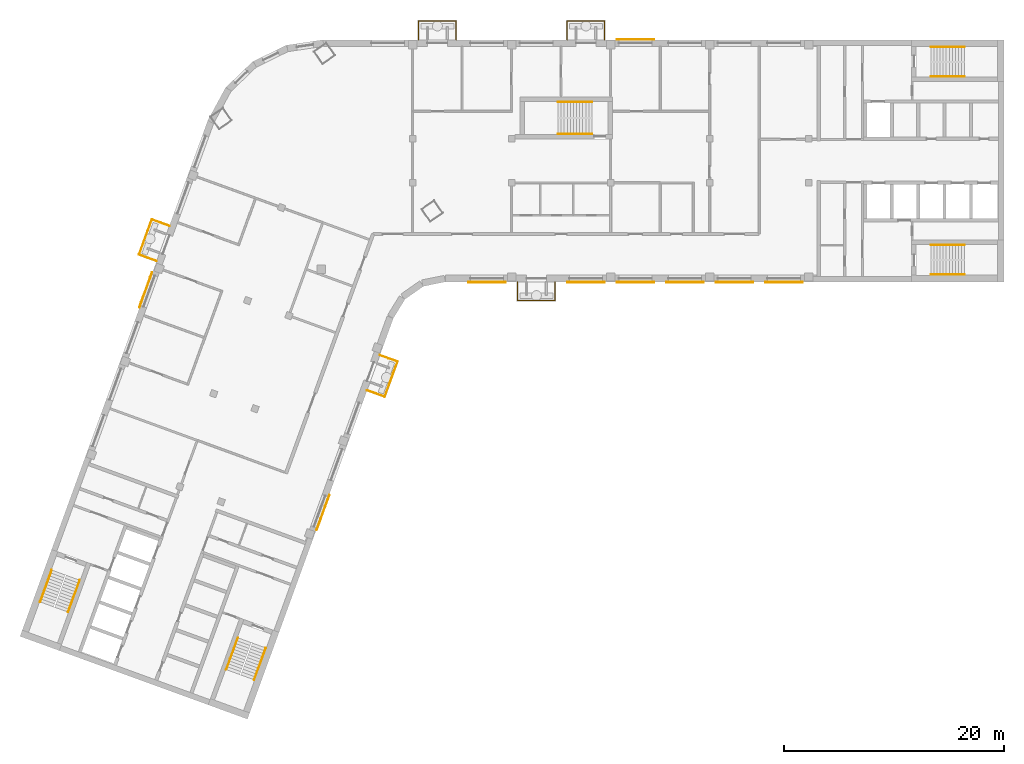
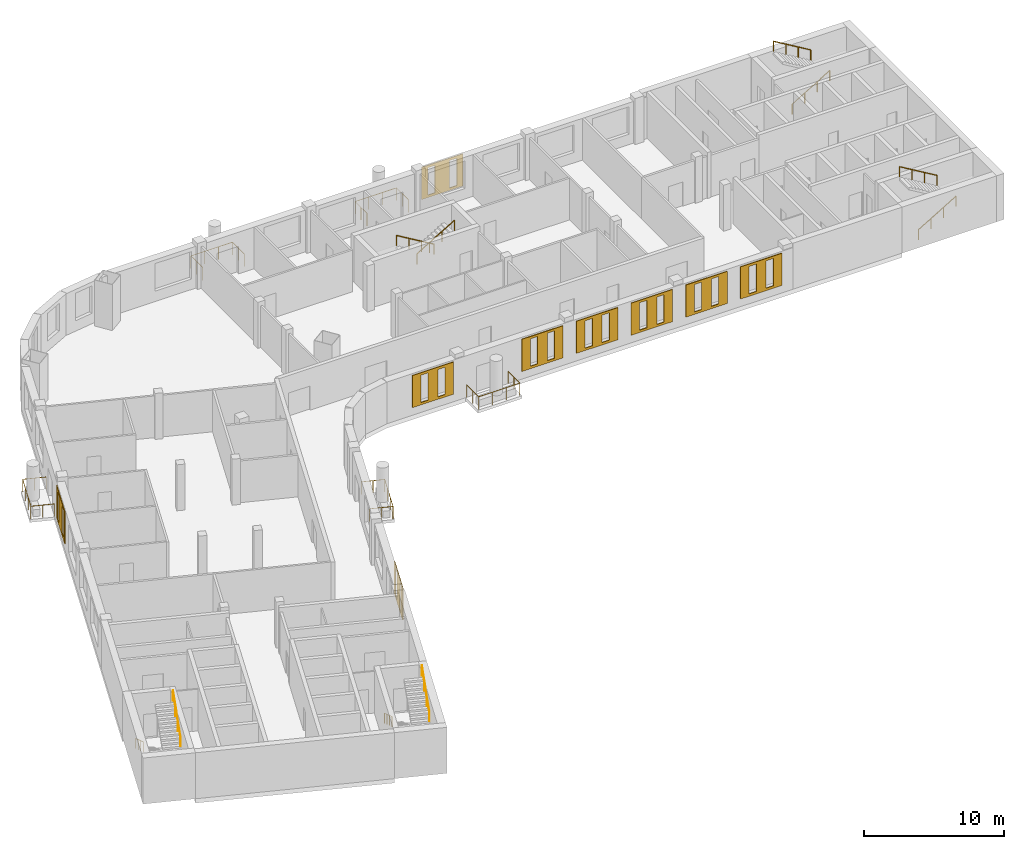
# One storey, part 8 of 10: 15 railings, 9 coverings.
"""IFC4 building model written with IfcOpenShell, lengths in metres."""

import ifcopenshell
import ifcopenshell.guid

model = None  # the IFC model being written
_history = None  # IfcOwnerHistory: only IFC2X3 demands one
_inside = {}  # id of a spatial element -> (the spatial element, [elements in it])
_under = {}  # id of a project, library or spatial element -> (it, [spatial elements below it])
_declared = {}  # id of a project -> (the project, [libraries it declares])
_typed = {}  # id of a type object -> (the type object, [elements of that type])
_made_of = {}  # id of a material, layer set ... -> (it, [elements and type objects made of it])


def new_model(schema):
    """Start an empty IFC model of exactly this schema.

    Asked for "IFC4X3", IfcOpenShell would pick the latest addendum, in which some entities
    have other attributes; the version numbers below select the first issue.
    IFC2X3 requires an IfcOwnerHistory on every rooted entity: one is made here for all.
    """
    global model, _history
    if schema == "IFC4X3":
        model = ifcopenshell.file(schema_version=(4, 3, 0, 0))
    else:
        model = ifcopenshell.file(schema=schema)
    _inside.clear()
    _under.clear()
    _declared.clear()
    _typed.clear()
    _made_of.clear()
    _history = None
    if model.schema == "IFC2X3":
        org = make("IfcOrganization", Name="unknown")
        user = make(
            "IfcPersonAndOrganization",
            ThePerson=make("IfcPerson", FamilyName="unknown"),
            TheOrganization=org,
        )
        app = make(
            "IfcApplication",
            ApplicationDeveloper=org,
            Version="unknown",
            ApplicationFullName="unknown",
            ApplicationIdentifier="unknown",
        )
        _history = make(
            "IfcOwnerHistory",
            OwningUser=user,
            OwningApplication=app,
            ChangeAction="ADDED",
            CreationDate=0,
        )
    return model


def make(cls, **values):
    """One entity of the class cls with the attributes given. An attribute that is None is left unset."""
    return model.create_entity(
        cls, **{name: value for name, value in values.items() if value is not None}
    )


def rooted(cls, **values):
    """An entity with a GlobalId (a new one), such as an element, a storey or a relation."""
    return make(cls, GlobalId=ifcopenshell.guid.new(), OwnerHistory=_history, **values)


def si_unit(unit_type, name, prefix=None):
    """IfcSIUnit, for example si_unit("LENGTHUNIT", "METRE", prefix="MILLI")."""
    return make("IfcSIUnit", UnitType=unit_type, Prefix=prefix, Name=name)


def assignment(units):
    """IfcUnitAssignment: the units of a project."""
    return None if units is None else make("IfcUnitAssignment", Units=units)


def point(xyz):
    """IfcCartesianPoint."""
    return None if xyz is None else make("IfcCartesianPoint", Coordinates=xyz)


def direction(xyz):
    """IfcDirection."""
    return None if xyz is None else make("IfcDirection", DirectionRatios=xyz)


def frame(location, z_axis=None, x_axis=None):
    """IfcAxis2Placement3D, a coordinate frame: its origin and axes. An axis left out is left unset."""
    return make(
        "IfcAxis2Placement3D",
        Location=point(location),
        Axis=direction(z_axis),
        RefDirection=direction(x_axis),
    )


def frame_2d(location, x_axis=None):
    """IfcAxis2Placement2D, a coordinate frame in the plane: its origin and x axis."""
    return make(
        "IfcAxis2Placement2D", Location=point(location), RefDirection=direction(x_axis)
    )


def origin():
    """The frame at (0, 0, 0) with its axes left unset."""
    return frame((0.0, 0.0, 0.0))


def origin_2d():
    """The frame at (0, 0) in the plane with its x axis left unset."""
    return frame_2d((0.0, 0.0))


def place(relative_to, where):
    """IfcLocalPlacement: puts the frame where relative to a parent placement (None: the world)."""
    return make(
        "IfcLocalPlacement", PlacementRelTo=relative_to, RelativePlacement=where
    )


def context(
    kind, dimensions, precision=None, world=None, true_north=None, identifier=None
):
    """IfcGeometricRepresentationContext, for example the 3D "Model" context."""
    return make(
        "IfcGeometricRepresentationContext",
        ContextIdentifier=identifier,
        ContextType=kind,
        CoordinateSpaceDimension=dimensions,
        Precision=precision,
        WorldCoordinateSystem=world,
        TrueNorth=true_north,
    )


def subcontext(parent, identifier, kind, view, scale=None):
    """IfcGeometricRepresentationSubContext, for example "Body" below "Model"."""
    return make(
        "IfcGeometricRepresentationSubContext",
        ContextIdentifier=identifier,
        ContextType=kind,
        ParentContext=parent,
        TargetScale=scale,
        TargetView=view,
    )


def project(units=None, contexts=None):
    """IfcProject with its units and contexts."""
    return rooted(
        "IfcProject",
        Name="project",
        RepresentationContexts=contexts,
        UnitsInContext=assignment(units),
    )


def spatial(cls, under=None, at=None, **own):
    """A site, building, storey or space (cls), placed at a placement, below another one or the project."""
    s = rooted(cls, ObjectPlacement=at, **own)
    if under is not None:
        _under.setdefault(under.id(), (under, []))[1].append(s)
    return s


def polyline(points):
    """IfcPolyline through the points."""
    return make("IfcPolyline", Points=[point(p) for p in points])


def profile(cls, at=None, kind="AREA", **sizes):
    """A parametric profile (cls). Its sizes go by their IFC names, for example OverallWidth=200.0."""
    return make(cls, ProfileType=kind, Position=at, **sizes)


def circle(**sizes):
    """IfcCircleProfileDef."""
    return profile("IfcCircleProfileDef", **sizes)


def outline(outer, holes=None, kind="AREA"):
    """IfcArbitraryClosedProfileDef: a profile drawn as a closed curve; with holes, ...WithVoids."""
    if holes is None:
        return make("IfcArbitraryClosedProfileDef", ProfileType=kind, OuterCurve=outer)
    return make(
        "IfcArbitraryProfileDefWithVoids",
        ProfileType=kind,
        OuterCurve=outer,
        InnerCurves=holes,
    )


def extrude(swept, where, along, depth):
    """IfcExtrudedAreaSolid: the profile swept, set in the frame where, extruded along a direction by depth."""
    return make(
        "IfcExtrudedAreaSolid",
        SweptArea=swept,
        Position=where,
        ExtrudedDirection=direction(along),
        Depth=depth,
    )


def shape(context_of_items, identifier, shape_type, items):
    """IfcShapeRepresentation: the items that make up one representation, for example the "Body"."""
    return make(
        "IfcShapeRepresentation",
        ContextOfItems=context_of_items,
        RepresentationIdentifier=identifier,
        RepresentationType=shape_type,
        Items=items,
    )


def material(Name=None, Category=None):
    """IfcMaterial."""
    return make("IfcMaterial", Name=Name, Category=Category)


def material_profile(
    of_material, cross_section, Name=None, Category=None, Priority=None
):
    """IfcMaterialProfile: a cross section and its material."""
    return make(
        "IfcMaterialProfile",
        Name=Name,
        Material=of_material,
        Profile=cross_section,
        Priority=Priority,
        Category=Category,
    )


def profile_set(profiles, Name=None, composite=None):
    """IfcMaterialProfileSet."""
    return make(
        "IfcMaterialProfileSet",
        Name=Name,
        MaterialProfiles=profiles,
        CompositeProfile=composite,
    )


def made_of(thing, what):
    """Note that an element or type object is made of a material, layer set ...; save() writes the relation."""
    if what is not None:
        _made_of.setdefault(what.id(), (what, []))[1].append(thing)
    return thing


def type_object(cls, material=None, **own):
    """A type object (cls), such as IfcWallType, which elements share."""
    return made_of(rooted(cls, **own), material)


def element(
    cls,
    number,
    at=None,
    inside=None,
    cuts=None,
    type_object=None,
    material=None,
    context=None,
    identifier="Body",
    shape_type=None,
    held_by="IfcProductDefinitionShape",
    body=None,
    shapes=None,
    **own,
):
    """One element of the class cls, such as IfcWall. Its Tag is "e" and its number.

    at: its placement. inside: the storey or other place that contains it. cuts: it is an
    opening in that element (IfcRelVoidsElement). A single representation is given by context,
    identifier, shape_type and body (its items); several are given by shapes. held_by: the class
    of the entity that holds the representations. save() writes the other relations.
    """
    e = rooted(cls, Tag="e%d" % number, ObjectPlacement=at, **own)
    if body is not None:
        shapes = [shape(context, identifier, shape_type, body)]
    if shapes is not None:
        e.Representation = make(held_by, Representations=shapes)
    if inside is not None:
        _inside.setdefault(inside.id(), (inside, []))[1].append(e)
    if cuts is not None:
        rooted(
            "IfcRelVoidsElement", RelatingBuildingElement=cuts, RelatedOpeningElement=e
        )
    if type_object is not None:
        _typed.setdefault(type_object.id(), (type_object, []))[1].append(e)
    return made_of(e, material)


def aggregate(whole, parts):
    """IfcRelAggregates: a whole, such as a stair, and the parts it consists of."""
    return rooted("IfcRelAggregates", RelatingObject=whole, RelatedObjects=parts)


def save(model, path):
    """Write the relations noted so far, then the file.

    IfcRelAggregates (storeys below a building ...), IfcRelContainedInSpatialStructure (elements
    in a storey), IfcRelDefinesByType, IfcRelAssociatesMaterial and IfcRelDeclares: one each for
    every whole, place, type object, material and project.
    """
    for whole, parts in _under.values():
        aggregate(whole, parts)
    for where, things in _inside.values():
        rooted(
            "IfcRelContainedInSpatialStructure",
            RelatedElements=things,
            RelatingStructure=where,
        )
    for kind, things in _typed.values():
        rooted("IfcRelDefinesByType", RelatedObjects=things, RelatingType=kind)
    for what, things in _made_of.values():
        rooted("IfcRelAssociatesMaterial", RelatedObjects=things, RelatingMaterial=what)
    for by, libraries in _declared.values():
        rooted("IfcRelDeclares", RelatingContext=by, RelatedDefinitions=libraries)
    model.write(path)


model = new_model("IFC4")

# Units and contexts
model_context = context("Model", 3, precision=1e-05, world=origin(), true_north=direction((0.0, 1.0)))
body_context = subcontext(model_context, "Body", "Model", "MODEL_VIEW")
ifc_project = project(units=[si_unit("LENGTHUNIT", "METRE"), si_unit("AREAUNIT", "SQUARE_METRE"), si_unit("VOLUMEUNIT", "CUBIC_METRE"), si_unit("PLANEANGLEUNIT", "RADIAN"), si_unit("MASSUNIT", "GRAM", prefix="KILO")], contexts=[model_context])

# Site, building, storey
site_placement = place(None, origin())
site = spatial("IfcSite", under=ifc_project, at=site_placement, CompositionType="ELEMENT")
building_placement = place(site_placement, origin())
building = spatial("IfcBuilding", under=site, at=building_placement, Name="Skarvind Civic Tower", CompositionType="ELEMENT")
storey_placement = place(building_placement, frame((0.0, 0.0, 192.0)))
storey = spatial("IfcBuildingStorey", under=building, at=storey_placement, Name="L45", CompositionType="ELEMENT", Elevation=192.0)

# Railings
ifc_material_1 = material(Name="Stainless steel balustrade", Category="steel")
railing_type_1 = type_object("IfcRailingType", Name="GR1 GUARD 1100", PredefinedType="GUARDRAIL", material=ifc_material_1)
railing_1_placement = place(storey_placement, frame((51.274658203125, 110.330322265625, 0.0)))
element("IfcRailing", 1, at=railing_1_placement, inside=storey, type_object=railing_type_1, Name="TREE BALCONY GUARD", PredefinedType="GUARDRAIL", context=body_context, shape_type="SweptSolid", body=[
    extrude(circle(Radius=0.02392578125, at=origin_2d()), frame((0.0, 0.0, 1.076171875), z_axis=(0.939684369409, -0.342042812948, 0.0), x_axis=(0.342042812948, 0.939684369409, 0.0)), (0.0, 0.0, 1.0), 1.7001953125),
    extrude(circle(Radius=0.02392578125, at=origin_2d()), frame((1.59765625, -0.58154296875, 1.076171875), z_axis=(-0.342088971896, -0.93966756638, 0.0), x_axis=(0.93966756638, -0.342088971896, 0.0)), (0.0, 0.0, 1.0), 3.39990234375),
    extrude(circle(Radius=0.02392578125, at=origin_2d()), frame((0.4345703125, -3.7763671875, 1.076171875), z_axis=(-0.93966756638, 0.342088971896, 0.0), x_axis=(-0.342088971896, -0.93966756638, 0.0)), (0.0, 0.0, 1.0), 1.699951171875),
    extrude(circle(Radius=0.02099609375, at=origin_2d()), origin(), (0.0, 0.0, 1.0), 1.052001953125),
    extrude(circle(Radius=0.02099609375, at=origin_2d()), frame((0.798828125, -0.290771484375, 0.0)), (0.0, 0.0, 1.0), 1.052001953125),
    extrude(circle(Radius=0.02099609375, at=origin_2d()), frame((1.59765625, -0.58154296875, 0.0)), (0.0, 0.0, 1.0), 1.052001953125),
    extrude(circle(Radius=0.02099609375, at=origin_2d()), frame((1.2099609375, -1.646484375, 0.0)), (0.0, 0.0, 1.0), 1.052001953125),
    extrude(circle(Radius=0.02099609375, at=origin_2d()), frame((0.822265625, -2.71142578125, 0.0)), (0.0, 0.0, 1.0), 1.052001953125),
    extrude(circle(Radius=0.02099609375, at=origin_2d()), frame((0.4345703125, -3.7763671875, 0.0)), (0.0, 0.0, 1.0), 1.052001953125),
    extrude(circle(Radius=0.02099609375, at=origin_2d()), frame((-0.3642578125, -3.485595703125, 0.0)), (0.0, 0.0, 1.0), 1.052001953125),
    extrude(circle(Radius=0.02099609375, at=origin_2d()), frame((-1.162841796875, -3.19482421875, 0.0)), (0.0, 0.0, 1.0), 1.052001953125),
])
railing_2_placement = place(storey_placement, frame((67.199951171875, 117.0, 0.0)))
element("IfcRailing", 2, at=railing_2_placement, inside=storey, type_object=railing_type_1, Name="TREE BALCONY GUARD", PredefinedType="GUARDRAIL", context=body_context, shape_type="SweptSolid", body=[
    extrude(circle(Radius=0.02392578125, at=origin_2d()), frame((0.0, 0.0, 1.076171875), z_axis=(0.0, -1.0, 0.0), x_axis=(1.0, 0.0, 0.0)), (0.0, 0.0, 1.0), 1.699951171875),
    extrude(circle(Radius=0.02392578125, at=origin_2d()), frame((0.0, -1.699951171875, 1.076171875), z_axis=(-1.0, 0.0, 0.0), x_axis=(0.0, -1.0, 0.0)), (0.0, 0.0, 1.0), 3.39990234375),
    extrude(circle(Radius=0.02392578125, at=origin_2d()), frame((-3.39990234375, -1.699951171875, 1.076171875), z_axis=(0.0, 1.0, 0.0), x_axis=(-1.0, 0.0, 0.0)), (0.0, 0.0, 1.0), 1.699951171875),
    extrude(circle(Radius=0.02099609375, at=origin_2d()), origin(), (0.0, 0.0, 1.0), 1.052001953125),
    extrude(circle(Radius=0.02099609375, at=origin_2d()), frame((0.0, -0.85009765625, 0.0)), (0.0, 0.0, 1.0), 1.052001953125),
    extrude(circle(Radius=0.02099609375, at=origin_2d()), frame((0.0, -1.699951171875, 0.0)), (0.0, 0.0, 1.0), 1.052001953125),
    extrude(circle(Radius=0.02099609375, at=origin_2d()), frame((-1.13330078125, -1.699951171875, 0.0)), (0.0, 0.0, 1.0), 1.052001953125),
    extrude(circle(Radius=0.02099609375, at=origin_2d()), frame((-2.2666015625, -1.699951171875, 0.0)), (0.0, 0.0, 1.0), 1.052001953125),
    extrude(circle(Radius=0.02099609375, at=origin_2d()), frame((-3.39990234375, -1.699951171875, 0.0)), (0.0, 0.0, 1.0), 1.052001953125),
    extrude(circle(Radius=0.02099609375, at=origin_2d()), frame((-3.39990234375, -0.85009765625, 0.0)), (0.0, 0.0, 1.0), 1.052001953125),
    extrude(circle(Radius=0.02099609375, at=origin_2d()), frame((-3.39990234375, 0.0, 0.0)), (0.0, 0.0, 1.0), 1.052001953125),
])
for number, where, name in (
    (3, (54.800048828125, 139.0, 0.0), "TREE BALCONY GUARD"),
    (4, (68.300048828125, 139.0, 0.0), "TREE BALCONY GUARD"),
):
    element("IfcRailing", number, at=place(storey_placement, frame(where)), inside=storey, type_object=railing_type_1, Name=name, PredefinedType="GUARDRAIL", context=body_context, shape_type="SweptSolid", body=[
        extrude(circle(Radius=0.02392578125, at=origin_2d()), frame((0.0, 0.0, 1.076171875), z_axis=(0.0, 1.0, 0.0), x_axis=(-1.0, 0.0, 0.0)), (0.0, 0.0, 1.0), 1.699951171875),
        extrude(circle(Radius=0.02392578125, at=origin_2d()), frame((0.0, 1.699951171875, 1.076171875), z_axis=(1.0, 0.0, 0.0), x_axis=(0.0, 1.0, 0.0)), (0.0, 0.0, 1.0), 3.39990234375),
        extrude(circle(Radius=0.02392578125, at=origin_2d()), frame((3.39990234375, 1.699951171875, 1.076171875), z_axis=(0.0, -1.0, 0.0), x_axis=(1.0, 0.0, 0.0)), (0.0, 0.0, 1.0), 1.699951171875),
        extrude(circle(Radius=0.02099609375, at=origin_2d()), origin(), (0.0, 0.0, 1.0), 1.052001953125),
        extrude(circle(Radius=0.02099609375, at=origin_2d()), frame((0.0, 0.85009765625, 0.0)), (0.0, 0.0, 1.0), 1.052001953125),
        extrude(circle(Radius=0.02099609375, at=origin_2d()), frame((0.0, 1.699951171875, 0.0)), (0.0, 0.0, 1.0), 1.052001953125),
        extrude(circle(Radius=0.02099609375, at=origin_2d()), frame((1.13330078125, 1.699951171875, 0.0)), (0.0, 0.0, 1.0), 1.052001953125),
        extrude(circle(Radius=0.02099609375, at=origin_2d()), frame((2.2666015625, 1.699951171875, 0.0)), (0.0, 0.0, 1.0), 1.052001953125),
        extrude(circle(Radius=0.02099609375, at=origin_2d()), frame((3.39990234375, 1.699951171875, 0.0)), (0.0, 0.0, 1.0), 1.052001953125),
        extrude(circle(Radius=0.02099609375, at=origin_2d()), frame((3.39990234375, 0.85009765625, 0.0)), (0.0, 0.0, 1.0), 1.052001953125),
        extrude(circle(Radius=0.02099609375, at=origin_2d()), frame((3.39990234375, 0.0, 0.0)), (0.0, 0.0, 1.0), 1.052001953125),
    ])
railing_3_placement = place(storey_placement, frame((30.977783203125, 118.888427734375, 0.0)))
element("IfcRailing", 5, at=railing_3_placement, inside=storey, type_object=railing_type_1, Name="TREE BALCONY GUARD", PredefinedType="GUARDRAIL", context=body_context, shape_type="SweptSolid", body=[
    extrude(circle(Radius=0.02392578125, at=origin_2d()), frame((0.0, 0.0, 1.076171875), z_axis=(-0.939684369409, 0.342042812948, 0.0), x_axis=(-0.342042812948, -0.939684369409, 0.0)), (0.0, 0.0, 1.0), 1.7001953125),
    extrude(circle(Radius=0.02392578125, at=origin_2d()), frame((-1.59765625, 0.58154296875, 1.076171875), z_axis=(0.342088971896, 0.93966756638, 0.0), x_axis=(-0.93966756638, 0.342088971896, 0.0)), (0.0, 0.0, 1.0), 3.39990234375),
    extrude(circle(Radius=0.02392578125, at=origin_2d()), frame((-0.4345703125, 3.7763671875, 1.076171875), z_axis=(0.939713724856, -0.341962154804, 0.0), x_axis=(0.341962154804, 0.939713724856, 0.0)), (0.0, 0.0, 1.0), 1.699951171875),
    extrude(circle(Radius=0.02099609375, at=origin_2d()), origin(), (0.0, 0.0, 1.0), 1.052001953125),
    extrude(circle(Radius=0.02099609375, at=origin_2d()), frame((-0.798828125, 0.290771484375, 0.0)), (0.0, 0.0, 1.0), 1.052001953125),
    extrude(circle(Radius=0.02099609375, at=origin_2d()), frame((-1.59765625, 0.58154296875, 0.0)), (0.0, 0.0, 1.0), 1.052001953125),
    extrude(circle(Radius=0.02099609375, at=origin_2d()), frame((-1.2099609375, 1.646484375, 0.0)), (0.0, 0.0, 1.0), 1.052001953125),
    extrude(circle(Radius=0.02099609375, at=origin_2d()), frame((-0.822265625, 2.71142578125, 0.0)), (0.0, 0.0, 1.0), 1.052001953125),
    extrude(circle(Radius=0.02099609375, at=origin_2d()), frame((-0.4345703125, 3.7763671875, 0.0)), (0.0, 0.0, 1.0), 1.052001953125),
    extrude(circle(Radius=0.02099609375, at=origin_2d()), frame((0.3642578125, 3.48583984375, 0.0)), (0.0, 0.0, 1.0), 1.052001953125),
    extrude(circle(Radius=0.02099609375, at=origin_2d()), frame((1.162841796875, 3.195068359375, 0.0)), (0.0, 0.0, 1.0), 1.052001953125),
])
ifc_material_2 = material(Name="Painted steel handrail", Category="steel")
railing_type_2 = type_object("IfcRailingType", Name="Stair handrail 900", PredefinedType="HANDRAIL", material=ifc_material_2)
railing_4_placement = place(storey_placement, frame((101.35009765625, 135.64990234375, 0.166748046875)))
element("IfcRailing", 6, at=railing_4_placement, inside=storey, type_object=railing_type_2, Name="Stair handrail", PredefinedType="HANDRAIL", context=body_context, shape_type="SweptSolid", body=[
    extrude(circle(Radius=0.02392578125, at=origin_2d()), frame((0.0, 0.0, 0.8759765625), z_axis=(0.859290745958, 0.0, 0.51148745235), x_axis=(0.0, 1.0, 0.0)), (0.0, 0.0, 1.0), 3.584228515625),
    extrude(circle(Radius=0.02099609375, at=origin_2d()), origin(), (0.0, 0.0, 1.0), 0.851806640625),
    extrude(circle(Radius=0.02099609375, at=origin_2d()), frame((1.026611328125, 0.0, 0.611083984375)), (0.0, 0.0, 1.0), 0.851806640625),
    extrude(circle(Radius=0.02099609375, at=origin_2d()), frame((2.05322265625, 0.0, 1.22216796875)), (0.0, 0.0, 1.0), 0.851806640625),
    extrude(circle(Radius=0.02099609375, at=origin_2d()), frame((3.079833984375, 0.0, 1.833251953125)), (0.0, 0.0, 1.0), 0.851806640625),
])
railing_5_placement = place(storey_placement, frame((104.429931640625, 138.35009765625, 2.166748046875)))
element("IfcRailing", 7, at=railing_5_placement, inside=storey, type_object=railing_type_2, Name="Stair handrail", PredefinedType="HANDRAIL", context=body_context, shape_type="SweptSolid", body=[
    extrude(circle(Radius=0.02392578125, at=origin_2d()), frame((0.0, 0.0, 0.8759765625), z_axis=(-0.859290745958, 0.0, 0.51148745235), x_axis=(0.0, -1.0, 0.0)), (0.0, 0.0, 1.0), 3.584228515625),
    extrude(circle(Radius=0.02099609375, at=origin_2d()), origin(), (0.0, 0.0, 1.0), 0.851806640625),
    extrude(circle(Radius=0.02099609375, at=origin_2d()), frame((-1.026611328125, 0.0, 0.611083984375)), (0.0, 0.0, 1.0), 0.851806640625),
    extrude(circle(Radius=0.02099609375, at=origin_2d()), frame((-2.05322265625, 0.0, 1.22216796875)), (0.0, 0.0, 1.0), 0.851806640625),
    extrude(circle(Radius=0.02099609375, at=origin_2d()), frame((-3.079833984375, 0.0, 1.833251953125)), (0.0, 0.0, 1.0), 0.851806640625),
])
railing_6_placement = place(storey_placement, frame((101.35009765625, 117.64990234375, 0.166748046875)))
element("IfcRailing", 8, at=railing_6_placement, inside=storey, type_object=railing_type_2, Name="Stair handrail", PredefinedType="HANDRAIL", context=body_context, shape_type="SweptSolid", body=[
    extrude(circle(Radius=0.02392578125, at=origin_2d()), frame((0.0, 0.0, 0.8759765625), z_axis=(0.859290745958, 0.0, 0.51148745235), x_axis=(0.0, 1.0, 0.0)), (0.0, 0.0, 1.0), 3.584228515625),
    extrude(circle(Radius=0.02099609375, at=origin_2d()), origin(), (0.0, 0.0, 1.0), 0.851806640625),
    extrude(circle(Radius=0.02099609375, at=origin_2d()), frame((1.026611328125, 0.0, 0.611083984375)), (0.0, 0.0, 1.0), 0.851806640625),
    extrude(circle(Radius=0.02099609375, at=origin_2d()), frame((2.05322265625, 0.0, 1.22216796875)), (0.0, 0.0, 1.0), 0.851806640625),
    extrude(circle(Radius=0.02099609375, at=origin_2d()), frame((3.079833984375, 0.0, 1.833251953125)), (0.0, 0.0, 1.0), 0.851806640625),
])
railing_7_placement = place(storey_placement, frame((104.429931640625, 120.35009765625, 2.166748046875)))
element("IfcRailing", 9, at=railing_7_placement, inside=storey, type_object=railing_type_2, Name="Stair handrail", PredefinedType="HANDRAIL", context=body_context, shape_type="SweptSolid", body=[
    extrude(circle(Radius=0.02392578125, at=origin_2d()), frame((0.0, 0.0, 0.8759765625), z_axis=(-0.859290745958, 0.0, 0.51148745235), x_axis=(0.0, -1.0, 0.0)), (0.0, 0.0, 1.0), 3.584228515625),
    extrude(circle(Radius=0.02099609375, at=origin_2d()), origin(), (0.0, 0.0, 1.0), 0.851806640625),
    extrude(circle(Radius=0.02099609375, at=origin_2d()), frame((-1.026611328125, 0.0, 0.611083984375)), (0.0, 0.0, 1.0), 0.851806640625),
    extrude(circle(Radius=0.02099609375, at=origin_2d()), frame((-2.05322265625, 0.0, 1.22216796875)), (0.0, 0.0, 1.0), 0.851806640625),
    extrude(circle(Radius=0.02099609375, at=origin_2d()), frame((-3.079833984375, 0.0, 1.833251953125)), (0.0, 0.0, 1.0), 0.851806640625),
])
railing_8_placement = place(storey_placement, frame((38.362060546875, 84.64794921875, 0.166748046875)))
element("IfcRailing", 10, at=railing_8_placement, inside=storey, type_object=railing_type_2, Name="Stair handrail", PredefinedType="HANDRAIL", context=body_context, shape_type="SweptSolid", body=[
    extrude(circle(Radius=0.02392578125, at=origin_2d()), frame((0.0, 0.0, 0.8759765625), z_axis=(-0.293908055923, -0.807480881337, 0.511461319103), x_axis=(0.939689235759, -0.342029443467, 0.0)), (0.0, 0.0, 1.0), 3.584228515625),
    extrude(circle(Radius=0.02099609375, at=origin_2d()), origin(), (0.0, 0.0, 1.0), 0.851806640625),
    extrude(circle(Radius=0.02099609375, at=origin_2d()), frame((-0.35107421875, -0.96484375, 0.611083984375)), (0.0, 0.0, 1.0), 0.851806640625),
    extrude(circle(Radius=0.02099609375, at=origin_2d()), frame((-0.702392578125, -1.929443359375, 1.22216796875)), (0.0, 0.0, 1.0), 0.851806640625),
    extrude(circle(Radius=0.02099609375, at=origin_2d()), frame((-1.053466796875, -2.894287109375, 1.833251953125)), (0.0, 0.0, 1.0), 0.851806640625),
])
railing_9_placement = place(storey_placement, frame((39.845703125, 80.830078125, 2.166748046875)))
element("IfcRailing", 11, at=railing_9_placement, inside=storey, type_object=railing_type_2, Name="Stair handrail", PredefinedType="HANDRAIL", context=body_context, shape_type="SweptSolid", body=[
    extrude(circle(Radius=0.02392578125, at=origin_2d()), frame((0.0, 0.0, 0.8759765625), z_axis=(0.293908055923, 0.807480881337, 0.511461319103), x_axis=(-0.939689235759, 0.342029443467, 0.0)), (0.0, 0.0, 1.0), 3.584228515625),
    extrude(circle(Radius=0.02099609375, at=origin_2d()), origin(), (0.0, 0.0, 1.0), 0.851806640625),
    extrude(circle(Radius=0.02099609375, at=origin_2d()), frame((0.35107421875, 0.96484375, 0.611083984375)), (0.0, 0.0, 1.0), 0.851806640625),
    extrude(circle(Radius=0.02099609375, at=origin_2d()), frame((0.702392578125, 1.929443359375, 1.22216796875)), (0.0, 0.0, 1.0), 0.851806640625),
    extrude(circle(Radius=0.02099609375, at=origin_2d()), frame((1.053466796875, 2.894287109375, 1.833251953125)), (0.0, 0.0, 1.0), 0.851806640625),
])
railing_10_placement = place(storey_placement, frame((21.447509765625, 90.80419921875, 0.166748046875)))
element("IfcRailing", 12, at=railing_10_placement, inside=storey, type_object=railing_type_2, Name="Stair handrail", PredefinedType="HANDRAIL", context=body_context, shape_type="SweptSolid", body=[
    extrude(circle(Radius=0.02392578125, at=origin_2d()), frame((0.0, 0.0, 0.8759765625), z_axis=(-0.293845824691, -0.807497044902, 0.511471557163), x_axis=(0.939714709796, -0.34195944817, 0.0)), (0.0, 0.0, 1.0), 3.584228515625),
    extrude(circle(Radius=0.02099609375, at=origin_2d()), origin(), (0.0, 0.0, 1.0), 0.851806640625),
    extrude(circle(Radius=0.02099609375, at=origin_2d()), frame((-0.35107421875, -0.96484375, 0.611083984375)), (0.0, 0.0, 1.0), 0.851806640625),
    extrude(circle(Radius=0.02099609375, at=origin_2d()), frame((-0.7021484375, -1.929443359375, 1.22216796875)), (0.0, 0.0, 1.0), 0.851806640625),
    extrude(circle(Radius=0.02099609375, at=origin_2d()), frame((-1.05322265625, -2.894287109375, 1.833251953125)), (0.0, 0.0, 1.0), 0.851806640625),
])
railing_11_placement = place(storey_placement, frame((22.931396484375, 86.986572265625, 2.166748046875)))
element("IfcRailing", 13, at=railing_11_placement, inside=storey, type_object=railing_type_2, Name="Stair handrail", PredefinedType="HANDRAIL", context=body_context, shape_type="SweptSolid", body=[
    extrude(circle(Radius=0.02392578125, at=origin_2d()), frame((0.0, 0.0, 0.8759765625), z_axis=(0.293908055923, 0.807480881337, 0.511461319103), x_axis=(-0.939689235759, 0.342029443467, 0.0)), (0.0, 0.0, 1.0), 3.584228515625),
    extrude(circle(Radius=0.02099609375, at=origin_2d()), origin(), (0.0, 0.0, 1.0), 0.851806640625),
    extrude(circle(Radius=0.02099609375, at=origin_2d()), frame((0.35107421875, 0.96484375, 0.611083984375)), (0.0, 0.0, 1.0), 0.851806640625),
    extrude(circle(Radius=0.02099609375, at=origin_2d()), frame((0.702392578125, 1.929443359375, 1.22216796875)), (0.0, 0.0, 1.0), 0.851806640625),
    extrude(circle(Radius=0.02099609375, at=origin_2d()), frame((1.053466796875, 2.894287109375, 1.833251953125)), (0.0, 0.0, 1.0), 0.851806640625),
])
railing_12_placement = place(storey_placement, frame((70.550048828125, 133.35009765625, 0.166748046875)))
element("IfcRailing", 14, at=railing_12_placement, inside=storey, type_object=railing_type_2, Name="Stair handrail", PredefinedType="HANDRAIL", context=body_context, shape_type="SweptSolid", body=[
    extrude(circle(Radius=0.02392578125, at=origin_2d()), frame((0.0, 0.0, 0.8759765625), z_axis=(-0.859308565015, 0.0, 0.511457515432), x_axis=(0.0, -1.0, 0.0)), (0.0, 0.0, 1.0), 3.58447265625),
    extrude(circle(Radius=0.02099609375, at=origin_2d()), origin(), (0.0, 0.0, 1.0), 0.851806640625),
    extrude(circle(Radius=0.02099609375, at=origin_2d()), frame((-1.026611328125, 0.0, 0.611083984375)), (0.0, 0.0, 1.0), 0.851806640625),
    extrude(circle(Radius=0.02099609375, at=origin_2d()), frame((-2.053466796875, 0.0, 1.22216796875)), (0.0, 0.0, 1.0), 0.851806640625),
    extrude(circle(Radius=0.02099609375, at=origin_2d()), frame((-3.080078125, 0.0, 1.833251953125)), (0.0, 0.0, 1.0), 0.851806640625),
])
railing_13_placement = place(storey_placement, frame((67.469970703125, 130.449951171875, 2.166748046875)))
element("IfcRailing", 15, at=railing_13_placement, inside=storey, type_object=railing_type_2, Name="Stair handrail", PredefinedType="HANDRAIL", context=body_context, shape_type="SweptSolid", body=[
    extrude(circle(Radius=0.02392578125, at=origin_2d()), frame((0.0, 0.0, 0.8759765625), z_axis=(0.859308565015, 0.0, 0.511457515432), x_axis=(0.0, 1.0, 0.0)), (0.0, 0.0, 1.0), 3.58447265625),
    extrude(circle(Radius=0.02099609375, at=origin_2d()), origin(), (0.0, 0.0, 1.0), 0.851806640625),
    extrude(circle(Radius=0.02099609375, at=origin_2d()), frame((1.026611328125, 0.0, 0.611083984375)), (0.0, 0.0, 1.0), 0.851806640625),
    extrude(circle(Radius=0.02099609375, at=origin_2d()), frame((2.053466796875, 0.0, 1.22216796875)), (0.0, 0.0, 1.0), 0.851806640625),
    extrude(circle(Radius=0.02099609375, at=origin_2d()), frame((3.080078125, 0.0, 1.833251953125)), (0.0, 0.0, 1.0), 0.851806640625),
])

# Coverings
ifc_material_3 = material(Name="Terracotta", Category="masonry")
ifc_material_profile_1 = material_profile(ifc_material_3, outline(polyline([(-1.699951171875, -1.39990234375), (1.699951171875, -1.39990234375), (1.699951171875, 1.39990234375), (-1.699951171875, 1.39990234375), (-1.699951171875, -1.39990234375)]), holes=[polyline([(-1.0, -1.18994140625), (-0.39990234375, -1.18994140625), (-0.39990234375, 1.18994140625), (-1.0, 1.18994140625), (-1.0, -1.18994140625)]), polyline([(0.39990234375, -1.18994140625), (1.0, -1.18994140625), (1.0, 1.18994140625), (0.39990234375, 1.18994140625), (0.39990234375, -1.18994140625)])]), Name="TERRACOTTA SCREEN 3400 x 2800, SLIT PITCH 1400")
ifc_profile_set_1 = profile_set([ifc_material_profile_1], Name="Terracotta")
covering_type_1 = type_object("IfcCoveringType", Name="TERRACOTTA SCREEN 3400 x 2800, SLIT PITCH 1400", PredefinedType="CLADDING", material=ifc_profile_set_1)
for number, where, z_axis, x_axis, name in (
    (16, (88.0, 117.0, 2.10009765625), (0.0, -1.0, 0.0), (1.0, 0.0, 0.0), "TERRACOTTA SCREEN"),
    (17, (83.5, 117.0, 2.10009765625), (0.0, -1.0, 0.0), (1.0, 0.0, 0.0), "TERRACOTTA SCREEN"),
    (18, (79.0, 117.0, 2.10009765625), (0.0, -1.0, 0.0), (1.0, 0.0, 0.0), "TERRACOTTA SCREEN"),
    (19, (74.5, 117.0, 2.10009765625), (0.0, -1.0, 0.0), (1.0, 0.0, 0.0), "TERRACOTTA SCREEN"),
    (20, (70.0, 117.0, 2.10009765625), (0.0, -1.0, 0.0), (1.0, 0.0, 0.0), "TERRACOTTA SCREEN"),
    (21, (61.0, 117.0, 2.10009765625), (0.0, -1.0, 0.0), (1.0, 0.0, 0.0), "TERRACOTTA SCREEN"),
):
    element("IfcCovering", number, at=place(storey_placement, frame(where, z_axis=z_axis, x_axis=x_axis)), inside=storey, type_object=covering_type_1, Name=name, PredefinedType="CLADDING", context=body_context, shape_type="SweptSolid", body=[
        extrude(outline(polyline([(-1.699951171875, -1.39990234375), (1.699951171875, -1.39990234375), (1.699951171875, 1.39990234375), (-1.699951171875, 1.39990234375), (-1.699951171875, -1.39990234375)]), holes=[polyline([(-1.0, -1.18994140625), (-0.39990234375, -1.18994140625), (-0.39990234375, 1.18994140625), (-1.0, 1.18994140625), (-1.0, -1.18994140625)]), polyline([(0.39990234375, -1.18994140625), (1.0, -1.18994140625), (1.0, 1.18994140625), (0.39990234375, 1.18994140625), (0.39990234375, -1.18994140625)])]), origin(), (0.0, 0.0, 1.0), 0.06005859375),
    ])
ifc_material_profile_2 = material_profile(ifc_material_3, outline(polyline([(-1.699951171875, -1.39990234375), (1.699951171875, -1.39990234375), (1.699951171875, 1.39990234375), (-1.699951171875, 1.39990234375), (-1.699951171875, -1.39990234375)]), holes=[polyline([(-1.199951171875, -1.18994140625), (-0.60009765625, -1.18994140625), (-0.60009765625, 1.18994140625), (-1.199951171875, 1.18994140625), (-1.199951171875, -1.18994140625)]), polyline([(0.60009765625, -1.18994140625), (1.199951171875, -1.18994140625), (1.199951171875, 1.18994140625), (0.60009765625, 1.18994140625), (0.60009765625, -1.18994140625)])]), Name="TERRACOTTA SCREEN 3400 x 2800, SLIT PITCH 1800")
ifc_profile_set_2 = profile_set([ifc_material_profile_2], Name="Terracotta")
covering_type_2 = type_object("IfcCoveringType", Name="TERRACOTTA SCREEN 3400 x 2800, SLIT PITCH 1800", PredefinedType="CLADDING", material=ifc_profile_set_2)
for number, where, z_axis, x_axis, name in (
    (22, (46.075927734375, 96.047119140625, 2.10009765625), (0.939793423488, -0.341743063087, 0.0), (0.341743063087, 0.939793423488, 0.0), "TERRACOTTA SCREEN"),
    (23, (74.5, 139.0, 2.10009765625), (0.0, 1.0, 0.0), (-1.0, 0.0, 0.0), "TERRACOTTA SCREEN"),
    (24, (30.02001953125, 116.25732421875, 2.10009765625), (-0.939793423488, 0.341743063087, 0.0), (-0.341743063087, -0.939793423488, 0.0), "TERRACOTTA SCREEN"),
):
    element("IfcCovering", number, at=place(storey_placement, frame(where, z_axis=z_axis, x_axis=x_axis)), inside=storey, type_object=covering_type_2, Name=name, PredefinedType="CLADDING", context=body_context, shape_type="SweptSolid", body=[
        extrude(outline(polyline([(-1.699951171875, -1.39990234375), (1.699951171875, -1.39990234375), (1.699951171875, 1.39990234375), (-1.699951171875, 1.39990234375), (-1.699951171875, -1.39990234375)]), holes=[polyline([(-1.199951171875, -1.18994140625), (-0.60009765625, -1.18994140625), (-0.60009765625, 1.18994140625), (-1.199951171875, 1.18994140625), (-1.199951171875, -1.18994140625)]), polyline([(0.60009765625, -1.18994140625), (1.199951171875, -1.18994140625), (1.199951171875, 1.18994140625), (0.60009765625, 1.18994140625), (0.60009765625, -1.18994140625)])]), origin(), (0.0, 0.0, 1.0), 0.06005859375),
    ])

save(model, "model.ifc")
